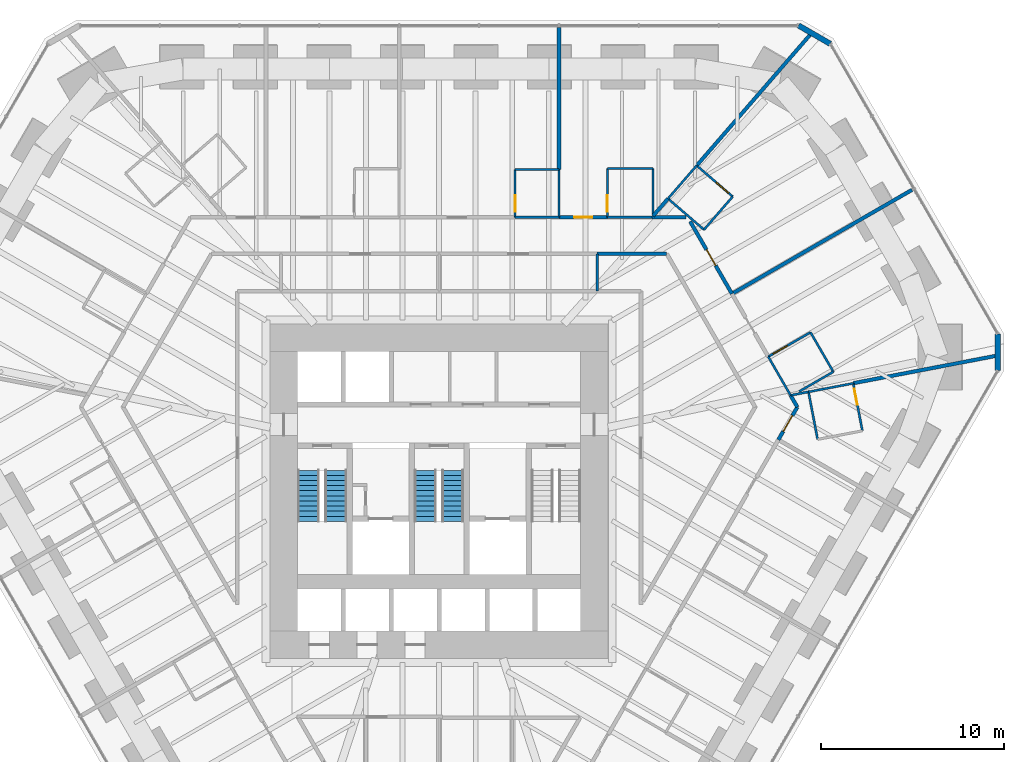
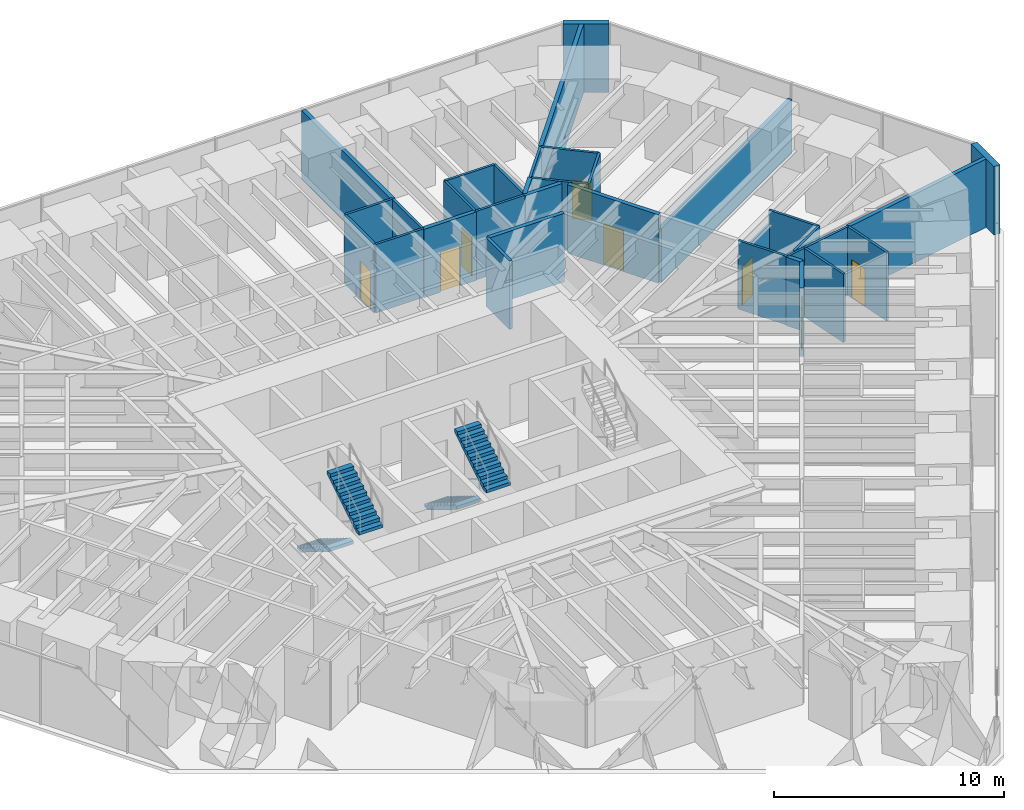
# One storey, part 15 of 17: 34 walls, 8 doors, 4 stair flights, 8 openings, 2 elements without a shape of their own.
"""IFC4 building model written with IfcOpenShell, lengths in metres."""

from ifc_helpers import new_model, si_unit, direction, frame, frame_2d, origin, place, context, subcontext, project, spatial, polyline, rectangle, outline, extrude, material, layer, layer_set, type_object, element, fill, aggregate, save


model = new_model("IFC4")

# Units and contexts
model_context = context("Model", 3, precision=1e-05, world=origin(), true_north=direction((0.0, 1.0)))
body_context = subcontext(model_context, "Body", "Model", "MODEL_VIEW")
ifc_project = project(units=[si_unit("LENGTHUNIT", "METRE"), si_unit("AREAUNIT", "SQUARE_METRE"), si_unit("VOLUMEUNIT", "CUBIC_METRE"), si_unit("PLANEANGLEUNIT", "RADIAN"), si_unit("MASSUNIT", "GRAM", prefix="KILO")], contexts=[model_context])

# Site, building, storey
site_placement = place(None, origin())
site = spatial("IfcSite", under=ifc_project, at=site_placement, CompositionType="ELEMENT")
building_placement = place(site_placement, origin())
building = spatial("IfcBuilding", under=site, at=building_placement, Name="Sandreach Pilgrim Tower", CompositionType="ELEMENT")
storey_placement = place(building_placement, frame((0.0, 0.0, 83.800048828125)))
storey = spatial("IfcBuildingStorey", under=building, at=storey_placement, Name="L20", CompositionType="ELEMENT", Elevation=83.800048828125)

# Wall
ifc_material_1 = material(Name="Gypsum board on steel studs", Category="steel")
ifc_layer_1 = layer(ifc_material_1, 0.14990234375)
ifc_layer_set_1 = layer_set([ifc_layer_1], Name="Back of house wall 150")
wall_type_1 = type_object("IfcWallType", Name="Back of house wall 150", PredefinedType="PARTITIONING", material=ifc_layer_set_1)
wall_1_placement = place(storey_placement, frame((8.64990234375, 11.449951171875, 0.0), z_axis=(0.0, 0.0, 1.0), x_axis=(0.0, -1.0, 0.0)))
element("IfcWall", 1, at=wall_1_placement, inside=storey, type_object=wall_type_1, Name="Back of house wall L20-103", PredefinedType="PARTITIONING", context=body_context, shape_type="SweptSolid", body=[
    extrude(rectangle(XDim=2.050048828125, YDim=0.14990234375, at=frame_2d((1.02490234375, 0.0))), origin(), (0.0, 0.0, 1.0), 3.639892578125),
])

# Wall, opening, door
ifc_material_2 = material(Name="Moisture-resistant gypsum board on steel studs", Category="steel")
ifc_layer_2 = layer(ifc_material_2, 0.1201171875)
ifc_layer_set_2 = layer_set([ifc_layer_2], Name="Bathroom partition 120")
wall_type_2 = type_object("IfcWallType", Name="Bathroom partition 120", PredefinedType="PARTITIONING", material=ifc_layer_set_2)
wall_2_placement = place(storey_placement, frame((4.159912109375, 16.070068359375, 0.0), z_axis=(0.0, 0.0, 1.0), x_axis=(0.0, -1.0, 0.0)))
wall_2 = element("IfcWall", 2, at=wall_2_placement, inside=storey, type_object=wall_type_2, Name="Bathroom partition L20-085", PredefinedType="PARTITIONING", context=body_context, shape_type="SweptSolid", body=[
    extrude(rectangle(XDim=2.6201171875, YDim=0.1201171875, at=frame_2d((1.31005859375, 0.0))), origin(), (0.0, 0.0, 1.0), 3.639892578125),
])
opening_1_placement = place(wall_2_placement, frame((1.419921875, 0.0, 0.0)))
opening_1 = element("IfcOpeningElement", 3, at=opening_1_placement, cuts=wall_2, Name="Opening D09-03B", PredefinedType="OPENING", context=body_context, shape_type="SweptSolid", body=[
    extrude(rectangle(XDim=0.89990234375, YDim=2.030029296875, at=frame_2d((0.449951171875, 1.01513671875))), frame((0.0, 0.06005859375, 0.0), z_axis=(0.0, -1.0, 0.0), x_axis=(1.0, 0.0, 0.0)), (0.0, 0.0, 1.0), 0.1201171875),
])
ifc_material_3 = material(Name="Timber door, steel frame", Category="steel")
door_type_1 = type_object("IfcDoorType", Name="Bathroom door", OperationType="SINGLE_SWING_LEFT", PredefinedType="DOOR", material=ifc_material_3)
door_1_placement = place(opening_1_placement, origin())
door_1 = element("IfcDoor", 4, at=door_1_placement, inside=storey, type_object=door_type_1, Name="Door 2003B", OperationType="SINGLE_SWING_RIGHT", OverallHeight=2.030029296875, OverallWidth=0.89990234375, PredefinedType="DOOR", context=body_context, shape_type="SweptSolid", body=[
    extrude(rectangle(XDim=0.89990234375, YDim=2.030029296875, at=frame_2d((0.449951171875, 1.01513671875))), frame((0.0, 0.02490234375, 0.0), z_axis=(0.0, -1.0, 0.0), x_axis=(1.0, 0.0, 0.0)), (0.0, 0.0, 1.0), 0.050048828125),
])
fill(opening_1, door_1)

# Walls
for number, where, z_axis, x_axis, name in (
    (5, (6.56005859375, 13.449951171875, 0.0), (0.0, 0.0, 1.0), (-1.0, 0.0, 0.0), "Bathroom partition L20-090"),
    (6, (6.56005859375, 16.070068359375, 0.0), (0.0, 0.0, 1.0), (-1.0, 0.0, 0.0), "Bathroom partition L20-091"),
):
    element("IfcWall", number, at=place(storey_placement, frame(where, z_axis=z_axis, x_axis=x_axis)), inside=storey, type_object=wall_type_2, Name=name, PredefinedType="PARTITIONING", context=body_context, shape_type="SweptSolid", body=[
        extrude(rectangle(XDim=2.400146484375, YDim=0.1201171875, at=frame_2d((1.2001953125, 0.0))), origin(), (0.0, 0.0, 1.0), 3.639892578125),
    ])
wall_3_placement = place(storey_placement, frame((6.56005859375, 16.070068359375, 0.0), z_axis=(0.0, 0.0, 1.0), x_axis=(0.0, -1.0, 0.0)))
element("IfcWall", 7, at=wall_3_placement, inside=storey, type_object=wall_type_2, Name="Bathroom partition L20-092", PredefinedType="PARTITIONING", context=body_context, shape_type="SweptSolid", body=[
    extrude(rectangle(XDim=2.6201171875, YDim=0.1201171875, at=frame_2d((1.31005859375, 0.0))), origin(), (0.0, 0.0, 1.0), 3.639892578125),
])

# Wall, opening, door
wall_4_placement = place(storey_placement, frame((9.2099609375, 16.1201171875, 0.0), z_axis=(0.0, 0.0, 1.0), x_axis=(0.0, -1.0, 0.0)))
wall_4 = element("IfcWall", 8, at=wall_4_placement, inside=storey, type_object=wall_type_2, Name="Bathroom partition L20-107", PredefinedType="PARTITIONING", context=body_context, shape_type="SweptSolid", body=[
    extrude(rectangle(XDim=2.670166015625, YDim=0.1201171875, at=frame_2d((1.3349609375, 0.0))), origin(), (0.0, 0.0, 1.0), 3.639892578125),
])
opening_2_placement = place(wall_4_placement, frame((1.469970703125, 0.0, 0.0)))
opening_2 = element("IfcOpeningElement", 9, at=opening_2_placement, cuts=wall_4, Name="Opening D09-04B", PredefinedType="OPENING", context=body_context, shape_type="SweptSolid", body=[
    extrude(rectangle(XDim=0.89990234375, YDim=2.030029296875, at=frame_2d((0.449951171875, 1.01513671875))), frame((0.0, 0.06005859375, 0.0), z_axis=(0.0, -1.0, 0.0), x_axis=(1.0, 0.0, 0.0)), (0.0, 0.0, 1.0), 0.1201171875),
])
door_2_placement = place(opening_2_placement, origin())
door_2 = element("IfcDoor", 10, at=door_2_placement, inside=storey, type_object=door_type_1, Name="Door 2004B", OperationType="SINGLE_SWING_RIGHT", OverallHeight=2.030029296875, OverallWidth=0.89990234375, PredefinedType="DOOR", context=body_context, shape_type="SweptSolid", body=[
    extrude(rectangle(XDim=0.89990234375, YDim=2.030029296875, at=frame_2d((0.449951171875, 1.01513671875))), frame((0.0, 0.02490234375, 0.0), z_axis=(0.0, -1.0, 0.0), x_axis=(1.0, 0.0, 0.0)), (0.0, 0.0, 1.0), 0.050048828125),
])
fill(opening_2, door_2)

# Walls
wall_5_placement = place(storey_placement, frame((11.64990234375, 13.449951171875, 0.0), z_axis=(0.0, 0.0, 1.0), x_axis=(-1.0, 0.0, 0.0)))
element("IfcWall", 11, at=wall_5_placement, inside=storey, type_object=wall_type_2, Name="Bathroom partition L20-114", PredefinedType="PARTITIONING", context=body_context, shape_type="SweptSolid", body=[
    extrude(rectangle(XDim=2.43994140625, YDim=0.1201171875, at=frame_2d((1.219970703125, 0.0))), origin(), (0.0, 0.0, 1.0), 3.639892578125),
])
wall_6_placement = place(storey_placement, frame((11.7099609375, 13.60498046875, 0.0), z_axis=(0.0, 0.0, 1.0), x_axis=(0.0, 1.0, 0.0)))
element("IfcWall", 12, at=wall_6_placement, inside=storey, type_object=wall_type_2, Name="Bathroom partition L20-115", PredefinedType="PARTITIONING", context=body_context, shape_type="SweptSolid", body=[
    extrude(rectangle(XDim=2.51513671875, YDim=0.1201171875, at=frame_2d((1.257568359375, 0.0))), origin(), (0.0, 0.0, 1.0), 3.639892578125),
])
wall_7_placement = place(storey_placement, frame((11.7099609375, 16.1201171875, 0.0), z_axis=(0.0, 0.0, 1.0), x_axis=(-1.0, 0.0, 0.0)))
element("IfcWall", 13, at=wall_7_placement, inside=storey, type_object=wall_type_2, Name="Bathroom partition L20-116", PredefinedType="PARTITIONING", context=body_context, shape_type="SweptSolid", body=[
    extrude(rectangle(XDim=2.5, YDim=0.1201171875, at=frame_2d((1.25, 0.0))), origin(), (0.0, 0.0, 1.0), 3.639892578125),
])
wall_8_placement = place(storey_placement, frame((12.530029296875, 14.469970703125, 0.0), z_axis=(0.0, 0.0, 1.0), x_axis=(0.655194291402, 0.755460416245, 0.0)))
element("IfcWall", 14, at=wall_8_placement, inside=storey, type_object=wall_type_2, Name="Bathroom partition L20-120", PredefinedType="PARTITIONING", context=body_context, shape_type="SweptSolid", body=[
    extrude(rectangle(XDim=2.39599609375, YDim=0.1201171875, at=frame_2d((1.197998046875, 0.0))), origin(), (0.0, 0.0, 1.0), 3.639892578125),
])
wall_9_placement = place(storey_placement, frame((12.530029296875, 14.469970703125, 0.0), z_axis=(0.0, 0.0, 1.0), x_axis=(0.757086659925, -0.653314464377, 0.0)))
element("IfcWall", 15, at=wall_9_placement, inside=storey, type_object=wall_type_2, Name="Bathroom partition L20-121", PredefinedType="PARTITIONING", context=body_context, shape_type="SweptSolid", body=[
    extrude(rectangle(XDim=2.60205078125, YDim=0.1201171875, at=frame_2d((1.301025390625, 0.0))), origin(), (0.0, 0.0, 1.0), 3.639892578125),
])
wall_10_placement = place(storey_placement, frame((14.5, 12.77001953125, 0.0), z_axis=(0.0, 0.0, 1.0), x_axis=(0.655252439976, 0.755409981338, 0.0)))
element("IfcWall", 16, at=wall_10_placement, inside=storey, type_object=wall_type_2, Name="Bathroom partition L20-127", PredefinedType="PARTITIONING", context=body_context, shape_type="SweptSolid", body=[
    extrude(rectangle(XDim=2.396240234375, YDim=0.1201171875, at=frame_2d((1.1982421875, 0.0))), origin(), (0.0, 0.0, 1.0), 3.639892578125),
])

# Wall, opening, door
wall_11_placement = place(storey_placement, frame((16.070068359375, 14.580078125, 0.0), z_axis=(0.0, 0.0, 1.0), x_axis=(-0.757086659925, 0.653314464377, 0.0)))
wall_11 = element("IfcWall", 17, at=wall_11_placement, inside=storey, type_object=wall_type_2, Name="Bathroom partition L20-131", PredefinedType="PARTITIONING", context=body_context, shape_type="SweptSolid", body=[
    extrude(rectangle(XDim=2.60205078125, YDim=0.1201171875, at=frame_2d((1.301025390625, 0.0))), origin(), (0.0, 0.0, 1.0), 3.639892578125),
])
opening_3_placement = place(wall_11_placement, frame((0.300048828125, 0.0, 0.0)))
opening_3 = element("IfcOpeningElement", 18, at=opening_3_placement, cuts=wall_11, Name="Opening D09-05B", PredefinedType="OPENING", context=body_context, shape_type="SweptSolid", body=[
    extrude(rectangle(XDim=0.89990234375, YDim=2.030029296875, at=frame_2d((0.449951171875, 1.01513671875))), frame((0.0, 0.06005859375, 0.0), z_axis=(0.0, -1.0, 0.0), x_axis=(1.0, 0.0, 0.0)), (0.0, 0.0, 1.0), 0.1201171875),
])
door_3_placement = place(opening_3_placement, origin())
door_3 = element("IfcDoor", 19, at=door_3_placement, inside=storey, type_object=door_type_1, Name="Door 2005B", OperationType="SINGLE_SWING_LEFT", OverallHeight=2.030029296875, OverallWidth=0.89990234375, PredefinedType="DOOR", context=body_context, shape_type="SweptSolid", body=[
    extrude(rectangle(XDim=0.89990234375, YDim=2.030029296875, at=frame_2d((0.449951171875, 1.01513671875))), frame((0.0, 0.02490234375, 0.0), z_axis=(0.0, -1.0, 0.0), x_axis=(1.0, 0.0, 0.0)), (0.0, 0.0, 1.0), 0.050048828125),
])
fill(opening_3, door_3)

# Walls
wall_12_placement = place(storey_placement, frame((18.017578125, 5.818603515625, 0.0), z_axis=(0.0, 0.0, 1.0), x_axis=(0.499757016066, -0.866165645181, 0.0)))
element("IfcWall", 20, at=wall_12_placement, inside=storey, type_object=wall_type_2, Name="Bathroom partition L20-137", PredefinedType="PARTITIONING", context=body_context, shape_type="SweptSolid", body=[
    extrude(rectangle(XDim=2.446044921875, YDim=0.1201171875, at=frame_2d((1.22314453125, 0.0))), origin(), (0.0, 0.0, 1.0), 3.639892578125),
])
wall_13_placement = place(storey_placement, frame((19.2744140625, 3.706787109375, 0.0), z_axis=(0.0, 0.0, 1.0), x_axis=(0.980619649475, 0.195921165429, 0.0)))
element("IfcWall", 21, at=wall_13_placement, inside=storey, type_object=wall_type_2, Name="Bathroom partition L20-140", PredefinedType="PARTITIONING", context=body_context, shape_type="SweptSolid", body=[
    extrude(rectangle(XDim=0.963134765625, YDim=0.1201171875, at=frame_2d((0.4814453125, 0.0))), origin(), (0.0, 0.0, 1.0), 3.639892578125),
])
wall_14_placement = place(storey_placement, frame((19.708984375, 3.912109375, 0.0), z_axis=(0.0, 0.0, 1.0), x_axis=(0.86650539461, 0.499167708403, 0.0)))
element("IfcWall", 22, at=wall_14_placement, inside=storey, type_object=wall_type_2, Name="Bathroom partition L20-141", PredefinedType="PARTITIONING", context=body_context, shape_type="SweptSolid", body=[
    extrude(rectangle(XDim=2.159423828125, YDim=0.1201171875, at=frame_2d((1.07958984375, 0.0))), origin(), (0.0, 0.0, 1.0), 3.639892578125),
])
wall_15_placement = place(storey_placement, frame((20.219970703125, 3.889892578125, 0.0), z_axis=(0.0, 0.0, 1.0), x_axis=(0.18885765444, -0.982004473696, 0.0)))
element("IfcWall", 23, at=wall_15_placement, inside=storey, type_object=wall_type_2, Name="Bathroom partition L20-142", PredefinedType="PARTITIONING", context=body_context, shape_type="SweptSolid", body=[
    extrude(rectangle(XDim=2.6474609375, YDim=0.1201171875, at=frame_2d((1.32373046875, 0.0))), origin(), (0.0, 0.0, 1.0), 3.639892578125),
])
wall_16_placement = place(storey_placement, frame((20.219970703125, 3.889892578125, 0.0), z_axis=(0.0, 0.0, 1.0), x_axis=(0.982075487059, 0.1884880307, 0.0)))
element("IfcWall", 24, at=wall_16_placement, inside=storey, type_object=wall_type_2, Name="Bathroom partition L20-143", PredefinedType="PARTITIONING", context=body_context, shape_type="SweptSolid", body=[
    extrude(rectangle(XDim=2.49462890625, YDim=0.1201171875, at=frame_2d((1.247314453125, 0.0))), origin(), (0.0, 0.0, 1.0), 3.639892578125),
])

# Wall, opening, door
wall_17_placement = place(storey_placement, frame((20.330078125, 7.14990234375, 0.0), z_axis=(0.0, 0.0, 1.0), x_axis=(-0.866654860089, -0.498908161372, 0.0)))
wall_17 = element("IfcWall", 25, at=wall_17_placement, inside=storey, type_object=wall_type_2, Name="Bathroom partition L20-144", PredefinedType="PARTITIONING", context=body_context, shape_type="SweptSolid", body=[
    extrude(rectangle(XDim=2.66552734375, YDim=0.1201171875, at=frame_2d((1.332763671875, 0.0))), origin(), (0.0, 0.0, 1.0), 2.8779296875),
])
opening_4_placement = place(wall_17_placement, frame((1.465576171875, 0.0, 0.0)))
opening_4 = element("IfcOpeningElement", 26, at=opening_4_placement, cuts=wall_17, Name="Opening D09-06B", PredefinedType="OPENING", context=body_context, shape_type="SweptSolid", body=[
    extrude(rectangle(XDim=0.89990234375, YDim=2.030029296875, at=frame_2d((0.449951171875, 1.01513671875))), frame((0.0, 0.06005859375, 0.0), z_axis=(0.0, -1.0, 0.0), x_axis=(1.0, 0.0, 0.0)), (0.0, 0.0, 1.0), 0.1201171875),
])
door_4_placement = place(opening_4_placement, origin())
door_4 = element("IfcDoor", 27, at=door_4_placement, inside=storey, type_object=door_type_1, Name="Door 2006B", OperationType="SINGLE_SWING_RIGHT", OverallHeight=2.030029296875, OverallWidth=0.89990234375, PredefinedType="DOOR", context=body_context, shape_type="SweptSolid", body=[
    extrude(rectangle(XDim=0.89990234375, YDim=2.030029296875, at=frame_2d((0.449951171875, 1.01513671875))), frame((0.0, 0.02490234375, 0.0), z_axis=(0.0, -1.0, 0.0), x_axis=(1.0, 0.0, 0.0)), (0.0, 0.0, 1.0), 0.050048828125),
])
fill(opening_4, door_4)

# Wall
wall_18_placement = place(storey_placement, frame((21.580078125, 4.989990234375, 0.0), z_axis=(0.0, 0.0, 1.0), x_axis=(-0.500893576935, 0.865508881864, 0.0)))
element("IfcWall", 28, at=wall_18_placement, inside=storey, type_object=wall_type_2, Name="Bathroom partition L20-146", PredefinedType="PARTITIONING", context=body_context, shape_type="SweptSolid", body=[
    extrude(rectangle(XDim=2.49560546875, YDim=0.1201171875, at=frame_2d((1.247802734375, 0.0))), origin(), (0.0, 0.0, 1.0), 3.639892578125),
])

# Wall, opening, door
wall_19_placement = place(storey_placement, frame((23.169921875, 1.760009765625, 0.0), z_axis=(0.0, 0.0, 1.0), x_axis=(-0.18885765444, 0.982004473696, 0.0)))
wall_19 = element("IfcWall", 29, at=wall_19_placement, inside=storey, type_object=wall_type_2, Name="Bathroom partition L20-148", PredefinedType="PARTITIONING", context=body_context, shape_type="SweptSolid", body=[
    extrude(rectangle(XDim=2.6474609375, YDim=0.1201171875, at=frame_2d((1.32373046875, 0.0))), origin(), (0.0, 0.0, 1.0), 3.639892578125),
])
opening_5_placement = place(wall_19_placement, frame((1.447509765625, 0.0, 0.0)))
opening_5 = element("IfcOpeningElement", 30, at=opening_5_placement, cuts=wall_19, Name="Opening D09-07B", PredefinedType="OPENING", context=body_context, shape_type="SweptSolid", body=[
    extrude(rectangle(XDim=0.89990234375, YDim=2.030029296875, at=frame_2d((0.449951171875, 1.01513671875))), frame((0.0, 0.06005859375, 0.0), z_axis=(0.0, -1.0, 0.0), x_axis=(1.0, 0.0, 0.0)), (0.0, 0.0, 1.0), 0.1201171875),
])
door_5_placement = place(opening_5_placement, origin())
door_5 = element("IfcDoor", 31, at=door_5_placement, inside=storey, type_object=door_type_1, Name="Door 2007B", OperationType="SINGLE_SWING_RIGHT", OverallHeight=2.030029296875, OverallWidth=0.89990234375, PredefinedType="DOOR", context=body_context, shape_type="SweptSolid", body=[
    extrude(rectangle(XDim=0.89990234375, YDim=2.030029296875, at=frame_2d((0.449951171875, 1.01513671875))), frame((0.0, 0.02490234375, 0.0), z_axis=(0.0, -1.0, 0.0), x_axis=(1.0, 0.0, 0.0)), (0.0, 0.0, 1.0), 0.050048828125),
])
fill(opening_5, door_5)

# Wall
ifc_material_4 = material(Name="Gypsum board on steel studs, two layers each side", Category="steel")
ifc_layer_3 = layer(ifc_material_4, 0.199951171875)
ifc_layer_set_3 = layer_set([ifc_layer_3], Name="Corridor wall 200")
wall_type_3 = type_object("IfcWallType", Name="Corridor wall 200", PredefinedType="PARTITIONING", material=ifc_layer_set_3)
wall_20_placement = place(storey_placement, frame((8.64990234375, 11.449951171875, 0.0), z_axis=(0.0, 0.0, 1.0), x_axis=(1.0, 0.0, 0.0)))
element("IfcWall", 32, at=wall_20_placement, inside=storey, type_object=wall_type_3, Name="Corridor wall L20-104", PredefinedType="PARTITIONING", context=body_context, shape_type="SweptSolid", body=[
    extrude(rectangle(XDim=3.81005859375, YDim=0.199951171875, at=frame_2d((1.905029296875, 0.0))), origin(), (0.0, 0.0, 1.0), 3.639892578125),
])

# Wall, opening, door
wall_21_placement = place(storey_placement, frame((9.2099609375, 13.449951171875, 0.0), z_axis=(0.0, 0.0, 1.0), x_axis=(-1.0, 0.0, 0.0)))
wall_21 = element("IfcWall", 33, at=wall_21_placement, inside=storey, type_object=wall_type_3, Name="Corridor wall L20-106", PredefinedType="PARTITIONING", context=body_context, shape_type="SweptSolid", body=[
    extrude(rectangle(XDim=2.64990234375, YDim=0.199951171875, at=frame_2d((1.324951171875, 0.0))), origin(), (0.0, 0.0, 1.0), 3.639892578125),
])
opening_6_placement = place(wall_21_placement, frame((0.824951171875, 0.0, 0.0)))
opening_6 = element("IfcOpeningElement", 34, at=opening_6_placement, cuts=wall_21, Name="Opening D10-04", PredefinedType="OPENING", context=body_context, shape_type="SweptSolid", body=[
    extrude(rectangle(XDim=1.0, YDim=2.1298828125, at=frame_2d((0.5, 1.06494140625))), frame((0.0, 0.10009765625, 0.0), z_axis=(0.0, -1.0, 0.0), x_axis=(1.0, 0.0, 0.0)), (0.0, 0.0, 1.0), 0.199951171875),
])
ifc_material_5 = material(Name="Steel door and frame", Category="steel")
door_type_2 = type_object("IfcDoorType", Name="Guest room entry door", OperationType="SINGLE_SWING_LEFT", PredefinedType="DOOR", material=ifc_material_5)
door_6_placement = place(opening_6_placement, origin())
door_6 = element("IfcDoor", 35, at=door_6_placement, inside=storey, type_object=door_type_2, Name="Door 2004", OperationType="SINGLE_SWING_LEFT", OverallHeight=2.1298828125, OverallWidth=1.0, PredefinedType="DOOR", context=body_context, shape_type="SweptSolid", body=[
    extrude(rectangle(XDim=1.0, YDim=2.1298828125, at=frame_2d((0.5, 1.06494140625))), frame((0.0, 0.02490234375, 0.0), z_axis=(0.0, -1.0, 0.0), x_axis=(1.0, 0.0, 0.0)), (0.0, 0.0, 1.0), 0.050048828125),
])
fill(opening_6, door_6)

# Wall
wall_22_placement = place(storey_placement, frame((13.5048828125, 13.449951171875, 0.0), z_axis=(0.0, 0.0, 1.0), x_axis=(-1.0, 0.0, 0.0)))
element("IfcWall", 36, at=wall_22_placement, inside=storey, type_object=wall_type_3, Name="Corridor wall L20-122", PredefinedType="PARTITIONING", context=body_context, shape_type="SweptSolid", body=[
    extrude(rectangle(XDim=1.85498046875, YDim=0.199951171875, at=frame_2d((0.927490234375, 0.0))), origin(), (0.0, 0.0, 1.0), 3.639892578125),
])

# Wall, opening, door
wall_23_placement = place(storey_placement, frame((13.742431640625, 13.220458984375, 0.0), z_axis=(0.0, 0.0, 1.0), x_axis=(0.500169095125, -0.865927754655, 0.0)))
wall_23 = element("IfcWall", 37, at=wall_23_placement, inside=storey, type_object=wall_type_3, Name="Corridor wall L20-124", PredefinedType="PARTITIONING", context=body_context, shape_type="SweptSolid", body=[
    extrude(rectangle(XDim=4.57373046875, YDim=0.199951171875, at=frame_2d((2.286865234375, 0.0))), origin(), (0.0, 0.0, 1.0), 3.639892578125),
])
opening_7_placement = place(wall_23_placement, frame((1.786865234375, 0.0, 0.0)))
opening_7 = element("IfcOpeningElement", 38, at=opening_7_placement, cuts=wall_23, Name="Opening D10-05", PredefinedType="OPENING", context=body_context, shape_type="SweptSolid", body=[
    extrude(rectangle(XDim=1.0, YDim=2.1298828125, at=frame_2d((0.5, 1.06494140625))), frame((0.0, 0.10009765625, 0.0), z_axis=(0.0, -1.0, 0.0), x_axis=(1.0, 0.0, 0.0)), (0.0, 0.0, 1.0), 0.199951171875),
])
door_7_placement = place(opening_7_placement, origin())
door_7 = element("IfcDoor", 39, at=door_7_placement, inside=storey, type_object=door_type_2, Name="Door 2005", OperationType="SINGLE_SWING_LEFT", OverallHeight=2.1298828125, OverallWidth=1.0, PredefinedType="DOOR", context=body_context, shape_type="SweptSolid", body=[
    extrude(rectangle(XDim=1.0, YDim=2.1298828125, at=frame_2d((0.5, 1.06494140625))), frame((0.0, 0.02490234375, 0.0), z_axis=(0.0, -1.0, 0.0), x_axis=(1.0, 0.0, 0.0)), (0.0, 0.0, 1.0), 0.050048828125),
])
fill(opening_7, door_7)

wall_24_placement = place(storey_placement, frame((18.570068359375, 1.27001953125, 0.0), z_axis=(0.0, 0.0, 1.0), x_axis=(0.502374475056, 0.864650152843, 0.0)))
wall_24 = element("IfcWall", 40, at=wall_24_placement, inside=storey, type_object=wall_type_3, Name="Corridor wall L20-138", PredefinedType="PARTITIONING", context=body_context, shape_type="SweptSolid", body=[
    extrude(rectangle(XDim=2.0703125, YDim=0.199951171875, at=frame_2d((1.03515625, 0.0))), origin(), (0.0, 0.0, 1.0), 3.639892578125),
])
opening_8_placement = place(wall_24_placement, frame((0.53515625, 0.0, 0.0)))
opening_8 = element("IfcOpeningElement", 41, at=opening_8_placement, cuts=wall_24, Name="Opening D10-07", PredefinedType="OPENING", context=body_context, shape_type="SweptSolid", body=[
    extrude(rectangle(XDim=1.0, YDim=2.1298828125, at=frame_2d((0.5, 1.06494140625))), frame((0.0, 0.10009765625, 0.0), z_axis=(0.0, -1.0, 0.0), x_axis=(1.0, 0.0, 0.0)), (0.0, 0.0, 1.0), 0.199951171875),
])
door_8_placement = place(opening_8_placement, origin())
door_8 = element("IfcDoor", 42, at=door_8_placement, inside=storey, type_object=door_type_2, Name="Door 2007", OperationType="SINGLE_SWING_LEFT", OverallHeight=2.1298828125, OverallWidth=1.0, PredefinedType="DOOR", context=body_context, shape_type="SweptSolid", body=[
    extrude(rectangle(XDim=1.0, YDim=2.1298828125, at=frame_2d((0.5, 1.06494140625))), frame((0.0, 0.02490234375, 0.0), z_axis=(0.0, -1.0, 0.0), x_axis=(1.0, 0.0, 0.0)), (0.0, 0.0, 1.0), 0.050048828125),
])
fill(opening_8, door_8)

# Walls
wall_25_placement = place(storey_placement, frame((19.239990234375, 3.699951171875, 0.0), z_axis=(0.0, 0.0, 1.0), x_axis=(0.50068472101, -0.865629718844, 0.0)))
element("IfcWall", 43, at=wall_25_placement, inside=storey, type_object=wall_type_3, Name="Corridor wall L20-139", PredefinedType="PARTITIONING", context=body_context, shape_type="SweptSolid", body=[
    extrude(rectangle(XDim=0.7392578125, YDim=0.199951171875, at=frame_2d((0.36962890625, 0.0))), origin(), (0.0, 0.0, 1.0), 3.639892578125),
])
ifc_material_6 = material(Name="Double steel stud acoustic wall, gypsum board", Category="steel")
ifc_layer_4 = layer(ifc_material_6, 0.199951171875)
ifc_layer_set_4 = layer_set([ifc_layer_4], Name="Party wall 200")
wall_type_4 = type_object("IfcWallType", Name="Party wall 200", PredefinedType="PARTITIONING", material=ifc_layer_set_4)
wall_26_placement = place(storey_placement, frame((6.56005859375, 23.830078125, 0.0), z_axis=(0.0, 0.0, 1.0), x_axis=(0.0, -1.0, 0.0)))
element("IfcWall", 44, at=wall_26_placement, inside=storey, type_object=wall_type_4, Name="Party wall L20-093", PredefinedType="PARTITIONING", context=body_context, shape_type="SweptSolid", body=[
    extrude(rectangle(XDim=7.760009765625, YDim=0.199951171875, at=frame_2d((3.8798828125, 0.0))), origin(), (0.0, 0.0, 1.0), 3.639892578125),
])
wall_27_placement = place(storey_placement, frame((11.715087890625, 13.525634765625, 0.0), z_axis=(0.0, 0.0, 1.0), x_axis=(0.653334457224, 0.757069406993, 0.0)))
element("IfcWall", 45, at=wall_27_placement, inside=storey, type_object=wall_type_4, Name="Party wall L20-117", PredefinedType="PARTITIONING", context=body_context, shape_type="SweptSolid", body=[
    extrude(rectangle(XDim=1.247314453125, YDim=0.199951171875, at=frame_2d((0.62353515625, 0.0))), origin(), (0.0, 0.0, 1.0), 3.639892578125),
])
wall_28_placement = place(storey_placement, frame((14.10009765625, 16.280029296875, 0.0), z_axis=(0.0, 0.0, 1.0), x_axis=(0.655045529498, 0.755589408531, 0.0)))
element("IfcWall", 46, at=wall_28_placement, inside=storey, type_object=wall_type_4, Name="Party wall L20-125", PredefinedType="PARTITIONING", context=body_context, shape_type="SweptSolid", body=[
    extrude(rectangle(XDim=9.6181640625, YDim=0.199951171875, at=frame_2d((4.80908203125, 0.0))), origin(), (0.0, 0.0, 1.0), 3.639892578125),
])
wall_29_placement = place(storey_placement, frame((22.6689453125, 4.365966796875, 0.0), z_axis=(0.0, 0.0, 1.0), x_axis=(0.982123058559, 0.188240000653, 0.0)))
element("IfcWall", 47, at=wall_29_placement, inside=storey, type_object=wall_type_4, Name="Party wall L20-147", PredefinedType="PARTITIONING", context=body_context, shape_type="SweptSolid", body=[
    extrude(rectangle(XDim=8.06591796875, YDim=0.199951171875, at=frame_2d((4.032958984375, 0.0))), origin(), (0.0, 0.0, 1.0), 3.639892578125),
])
wall_30_placement = place(storey_placement, frame((25.885986328125, 14.949951171875, 0.0), z_axis=(0.0, 0.0, 1.0), x_axis=(-0.86604429266, -0.499967282081, 0.0)))
element("IfcWall", 48, at=wall_30_placement, inside=storey, type_object=wall_type_4, Name="Party wall L20-149", PredefinedType="PARTITIONING", context=body_context, shape_type="SweptSolid", body=[
    extrude(rectangle(XDim=11.365478515625, YDim=0.199951171875, at=frame_2d((5.6826171875, 0.0))), origin(), (0.0, 0.0, 1.0), 2.860107421875),
])
ifc_material_7 = material(Name="Terracotta rainscreen on concrete", Category="masonry")
ifc_layer_5 = layer(ifc_material_7, 0.300048828125)
ifc_layer_set_5 = layer_set([ifc_layer_5], Name="Terracotta chamfer pier")
wall_type_5 = type_object("IfcWallType", Name="Terracotta chamfer pier", PredefinedType="SOLIDWALL", material=ifc_layer_set_5)
for number, where, z_axis, x_axis, name in (
    (49, (19.672119140625, 23.94873046875, 0.0), (0.0, 0.0, 1.0), (0.866010750942, -0.50002537861, 0.0), "Chamfer pier L20 N"),
    (50, (30.576171875, 7.062255859375, 0.0), (0.0, 0.0, 1.0), (0.0, -1.0, 0.0), "Chamfer pier L20 NE"),
):
    element("IfcWall", number, at=place(storey_placement, frame(where, z_axis=z_axis, x_axis=x_axis)), inside=storey, type_object=wall_type_5, Name=name, PredefinedType="SOLIDWALL", context=body_context, shape_type="SweptSolid", body=[
        extrude(rectangle(XDim=2.0, YDim=0.300048828125, at=frame_2d((1.0, 0.0))), origin(), (0.0, 0.0, 1.0), 3.639892578125),
    ])

# Stair, stair flights
ifc_material_8 = material(Name="Concrete 8000 psi", Category="concrete")
stair_type = type_object("IfcStairType", Name="Core exit stair", PredefinedType="HALF_TURN_STAIR", material=ifc_material_8)
stair_1_placement = place(storey_placement, origin())
stair_1 = element("IfcStair", 51, at=stair_1_placement, inside=storey, type_object=stair_type, Name="Exit stair ST1 L20", PredefinedType="HALF_TURN_STAIR")
ifc_material_9 = material(Name="Concrete 8000 psi", Category="concrete")
stair_flight_type = type_object("IfcStairFlightType", Name="Core stair flight 1200", PredefinedType="STRAIGHT", material=ifc_material_9)
stair_flight_1_placement = place(storey_placement, frame((-7.14990234375, -0.39990234375, 0.0), z_axis=(0.0, 0.0, 1.0), x_axis=(0.0, -1.0, 0.0)))
stair_flight_1 = element("IfcStairFlight", 52, at=stair_flight_1_placement, type_object=stair_flight_type, Name="ST1 flight 1", NumberOfRisers=11, NumberOfTreads=10, PredefinedType="STRAIGHT", RiserHeight=0.172727273, TreadLength=0.28, context=body_context, shape_type="SweptSolid", body=[
    extrude(outline(polyline([(0.0, 0.0), (0.0, 0.172607421875), (0.280029296875, 0.172607421875), (0.280029296875, 0.345458984375), (0.56005859375, 0.345458984375), (0.56005859375, 0.51806640625), (0.840087890625, 0.51806640625), (0.840087890625, 0.69091796875), (1.1201171875, 0.69091796875), (1.1201171875, 0.863525390625), (1.39990234375, 0.863525390625), (1.39990234375, 1.036376953125), (1.679931640625, 1.036376953125), (1.679931640625, 1.208984375), (1.9599609375, 1.208984375), (1.9599609375, 1.3818359375), (2.239990234375, 1.3818359375), (2.239990234375, 1.554443359375), (2.52001953125, 1.554443359375), (2.52001953125, 1.727294921875), (2.800048828125, 1.727294921875), (2.800048828125, 1.89990234375), (2.800048828125, 1.551025390625), (0.285400390625, 0.0), (0.0, 0.0)])), frame((0.0, 0.60009765625, 0.0), z_axis=(0.0, -1.0, 0.0), x_axis=(1.0, 0.0, 0.0)), (0.0, 0.0, 1.0), 1.199951171875),
])
stair_flight_2_placement = place(storey_placement, frame((-5.64990234375, -3.199951171875, 1.89990234375), z_axis=(0.0, 0.0, 1.0), x_axis=(0.0, 1.0, 0.0)))
stair_flight_2 = element("IfcStairFlight", 53, at=stair_flight_2_placement, type_object=stair_flight_type, Name="ST1 flight 2", NumberOfRisers=11, NumberOfTreads=10, PredefinedType="STRAIGHT", RiserHeight=0.172727273, TreadLength=0.28, context=body_context, shape_type="SweptSolid", body=[
    extrude(outline(polyline([(0.0, 0.0), (0.0, 0.172607421875), (0.280029296875, 0.172607421875), (0.280029296875, 0.345458984375), (0.56005859375, 0.345458984375), (0.56005859375, 0.51806640625), (0.840087890625, 0.51806640625), (0.840087890625, 0.69091796875), (1.1201171875, 0.69091796875), (1.1201171875, 0.863525390625), (1.39990234375, 0.863525390625), (1.39990234375, 1.036376953125), (1.679931640625, 1.036376953125), (1.679931640625, 1.208984375), (1.9599609375, 1.208984375), (1.9599609375, 1.3818359375), (2.239990234375, 1.3818359375), (2.239990234375, 1.554443359375), (2.52001953125, 1.554443359375), (2.52001953125, 1.727294921875), (2.800048828125, 1.727294921875), (2.800048828125, 1.89990234375), (2.800048828125, 1.551025390625), (0.285400390625, 0.0), (0.0, 0.0)])), frame((0.0, 0.60009765625, 0.0), z_axis=(0.0, -1.0, 0.0), x_axis=(1.0, 0.0, 0.0)), (0.0, 0.0, 1.0), 1.199951171875),
])
aggregate(stair_1, [stair_flight_1, stair_flight_2])

stair_2_placement = place(storey_placement, origin())
stair_2 = element("IfcStair", 54, at=stair_2_placement, inside=storey, type_object=stair_type, Name="Exit stair ST3 L20", PredefinedType="HALF_TURN_STAIR")
stair_flight_3_placement = place(storey_placement, frame((-0.75, -0.39990234375, 0.0), z_axis=(0.0, 0.0, 1.0), x_axis=(0.0, -1.0, 0.0)))
stair_flight_3 = element("IfcStairFlight", 55, at=stair_flight_3_placement, type_object=stair_flight_type, Name="ST3 flight 1", NumberOfRisers=11, NumberOfTreads=10, PredefinedType="STRAIGHT", RiserHeight=0.172727273, TreadLength=0.28, context=body_context, shape_type="SweptSolid", body=[
    extrude(outline(polyline([(0.0, 0.0), (0.0, 0.172607421875), (0.280029296875, 0.172607421875), (0.280029296875, 0.345458984375), (0.56005859375, 0.345458984375), (0.56005859375, 0.51806640625), (0.840087890625, 0.51806640625), (0.840087890625, 0.69091796875), (1.1201171875, 0.69091796875), (1.1201171875, 0.863525390625), (1.39990234375, 0.863525390625), (1.39990234375, 1.036376953125), (1.679931640625, 1.036376953125), (1.679931640625, 1.208984375), (1.9599609375, 1.208984375), (1.9599609375, 1.3818359375), (2.239990234375, 1.3818359375), (2.239990234375, 1.554443359375), (2.52001953125, 1.554443359375), (2.52001953125, 1.727294921875), (2.800048828125, 1.727294921875), (2.800048828125, 1.89990234375), (2.800048828125, 1.551025390625), (0.285400390625, 0.0), (0.0, 0.0)])), frame((0.0, 0.60009765625, 0.0), z_axis=(0.0, -1.0, 0.0), x_axis=(1.0, 0.0, 0.0)), (0.0, 0.0, 1.0), 1.199951171875),
])
stair_flight_4_placement = place(storey_placement, frame((0.75, -3.199951171875, 1.89990234375), z_axis=(0.0, 0.0, 1.0), x_axis=(0.0, 1.0, 0.0)))
stair_flight_4 = element("IfcStairFlight", 56, at=stair_flight_4_placement, type_object=stair_flight_type, Name="ST3 flight 2", NumberOfRisers=11, NumberOfTreads=10, PredefinedType="STRAIGHT", RiserHeight=0.172727273, TreadLength=0.28, context=body_context, shape_type="SweptSolid", body=[
    extrude(outline(polyline([(0.0, 0.0), (0.0, 0.172607421875), (0.280029296875, 0.172607421875), (0.280029296875, 0.345458984375), (0.56005859375, 0.345458984375), (0.56005859375, 0.51806640625), (0.840087890625, 0.51806640625), (0.840087890625, 0.69091796875), (1.1201171875, 0.69091796875), (1.1201171875, 0.863525390625), (1.39990234375, 0.863525390625), (1.39990234375, 1.036376953125), (1.679931640625, 1.036376953125), (1.679931640625, 1.208984375), (1.9599609375, 1.208984375), (1.9599609375, 1.3818359375), (2.239990234375, 1.3818359375), (2.239990234375, 1.554443359375), (2.52001953125, 1.554443359375), (2.52001953125, 1.727294921875), (2.800048828125, 1.727294921875), (2.800048828125, 1.89990234375), (2.800048828125, 1.551025390625), (0.285400390625, 0.0), (0.0, 0.0)])), frame((0.0, 0.60009765625, 0.0), z_axis=(0.0, -1.0, 0.0), x_axis=(1.0, 0.0, 0.0)), (0.0, 0.0, 1.0), 1.199951171875),
])
aggregate(stair_2, [stair_flight_3, stair_flight_4])

save(model, "model.ifc")
